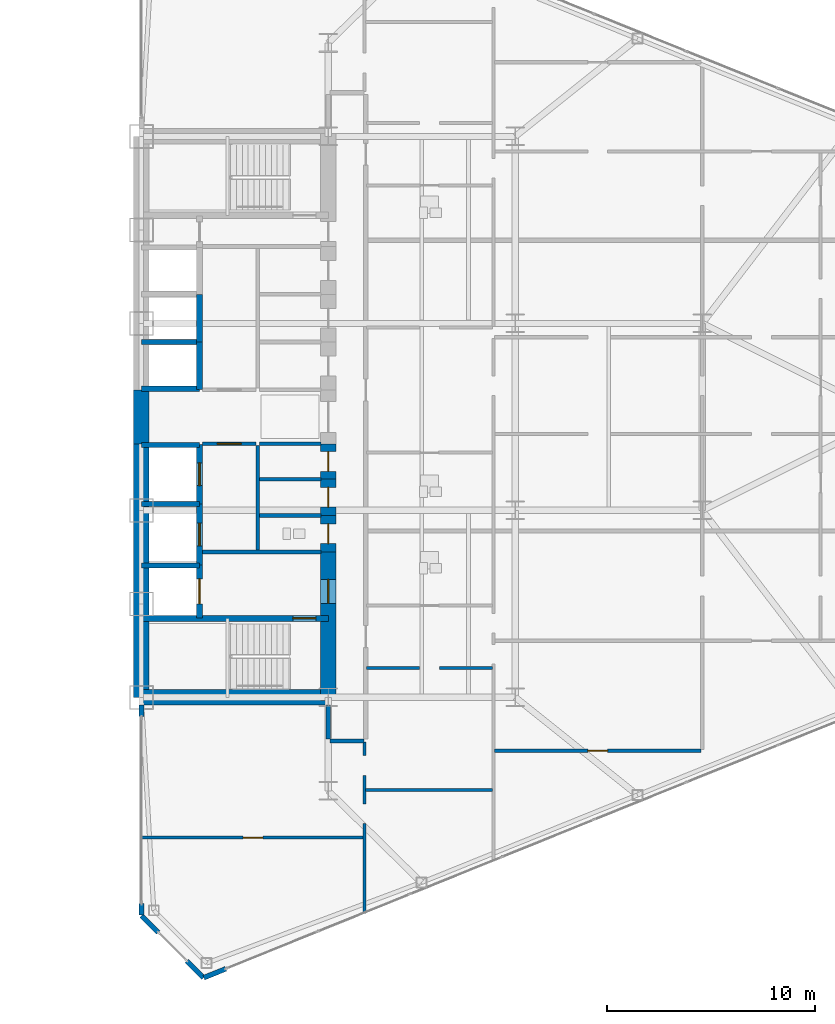
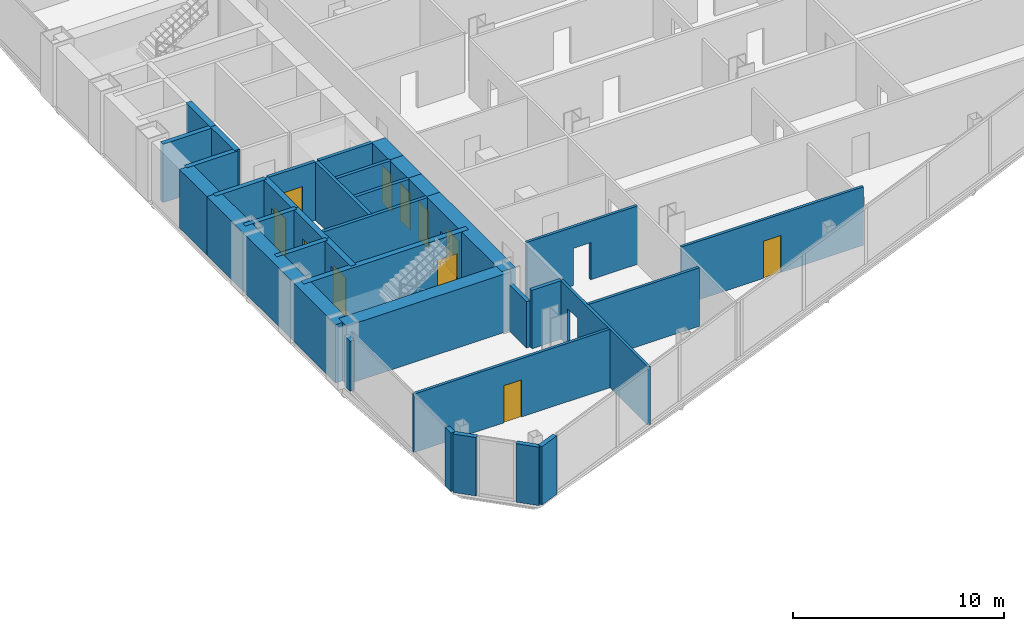
# One storey, part 20 of 25: 36 walls, 11 doors, 14 openings.
"""IFC4 building model written with IfcOpenShell, lengths in metres."""

from ifc_helpers import new_model, si_unit, direction, frame, frame_2d, origin, place, context, subcontext, project, spatial, rectangle, extrude, source, transform, mapped, material, layer, layer_set, type_object, type_shapes, element, fill, save


model = new_model("IFC4")

# Units and contexts
model_context = context("Model", 3, precision=1e-05, world=origin(), true_north=direction((0.0, 1.0)))
body_context = subcontext(model_context, "Body", "Model", "MODEL_VIEW")
ifc_project = project(units=[si_unit("LENGTHUNIT", "METRE"), si_unit("AREAUNIT", "SQUARE_METRE"), si_unit("VOLUMEUNIT", "CUBIC_METRE"), si_unit("PLANEANGLEUNIT", "RADIAN"), si_unit("MASSUNIT", "GRAM", prefix="KILO")], contexts=[model_context])

# Site, building, storey
site_placement = place(None, origin())
site = spatial("IfcSite", under=ifc_project, at=site_placement, CompositionType="ELEMENT")
building_placement = place(site_placement, origin())
building = spatial("IfcBuilding", under=site, at=building_placement, Name="Seokmaru Belvedere", CompositionType="ELEMENT")
storey_placement = place(building_placement, frame((0.0, 0.0, 54.89990234375)))
storey = spatial("IfcBuildingStorey", under=building, at=storey_placement, Name="L14", CompositionType="ELEMENT", Elevation=54.89990234375)

# Wall, opening, door
ifc_material_1 = material(Name="Fire-Rated Gypsum Shaftwall")
ifc_layer_1 = layer(ifc_material_1, 0.14990234375)
ifc_layer_set_1 = layer_set([ifc_layer_1], Name="Fire-Rated Gypsum Shaftwall")
wall_type_1 = type_object("IfcWallType", Name="Apartment Fire-Acoustic Room Partition 150", PredefinedType="PARTITIONING", material=ifc_layer_set_1)
wall_1_placement = place(storey_placement, frame((27.465087890625, -20.25, 0.0), z_axis=(0.0, 0.0, 1.0), x_axis=(1.0, 0.0, 0.0)))
wall_1 = element("IfcWall", 1, at=wall_1_placement, inside=storey, type_object=wall_type_1, Name="L14 Interior Partition 001", PredefinedType="PARTITIONING", context=body_context, shape_type="SweptSolid", body=[
    extrude(rectangle(XDim=10.73486328125, YDim=0.14990234375, at=frame_2d((5.367431640625, 0.0))), origin(), (0.0, 0.0, 1.0), 3.380126953125),
])
opening_1_placement = place(wall_1_placement, frame((4.93505859375, 0.0, 0.0)))
opening_1 = element("IfcOpeningElement", 2, at=opening_1_placement, cuts=wall_1, Name="Opening D05", PredefinedType="OPENING", context=body_context, shape_type="SweptSolid", body=[
    extrude(rectangle(XDim=0.949951171875, YDim=2.14990234375, at=frame_2d((0.47509765625, 1.074951171875))), frame((0.0, 0.0849609375, 0.0), z_axis=(0.0, -1.0, 0.0), x_axis=(1.0, 0.0, 0.0)), (0.0, 0.0, 1.0), 0.169921875),
])
ifc_material_2 = material(Name="Engineered White Oak Timber", Category="wood")
door_type_1 = type_object("IfcDoorType", Name="Apartment Interior Fire-Rated Oak Door 950x2150", OperationType="NOTDEFINED", PredefinedType="DOOR", material=ifc_material_2)
shared_shape_1 = source(origin(), body_context, "Body", "SweptSolid", [
    extrude(rectangle(XDim=0.949951171875, YDim=2.14990234375, at=frame_2d((0.47509765625, 1.074951171875))), frame((0.0, 0.02490234375, 0.0), z_axis=(0.0, -1.0, 0.0), x_axis=(1.0, 0.0, 0.0)), (0.0, 0.0, 1.0), 0.050048828125),
])
type_shapes(door_type_1, [shared_shape_1])
door_1_placement = place(opening_1_placement, origin())
door_1 = element("IfcDoor", 3, at=door_1_placement, inside=storey, type_object=door_type_1, Name="L14 Interior Door 037", OperationType="SINGLE_SWING_LEFT", OverallHeight=2.14990234375, OverallWidth=0.949951171875, PredefinedType="DOOR", context=body_context, shape_type="MappedRepresentation", body=[
    mapped(shared_shape_1, transform((0.0, 0.0, 0.0), scale=1.0)),
])
fill(opening_1, door_1)

# Wall
wall_2_placement = place(storey_placement, frame((38.300048828125, -17.969970703125, 0.0), z_axis=(0.0, 0.0, 1.0), x_axis=(1.0, 0.0, 0.0)))
element("IfcWall", 4, at=wall_2_placement, inside=storey, type_object=wall_type_1, Name="L14 Interior Partition 002", PredefinedType="PARTITIONING", context=body_context, shape_type="SweptSolid", body=[
    extrude(rectangle(XDim=6.099853515625, YDim=0.14990234375, at=frame_2d((3.0498046875, 0.0))), origin(), (0.0, 0.0, 1.0), 3.380126953125),
])

# Wall, opening, door
wall_3_placement = place(storey_placement, frame((44.5, -16.070068359375, 0.0), z_axis=(0.0, 0.0, 1.0), x_axis=(1.0, 0.0, 0.0)))
wall_3 = element("IfcWall", 5, at=wall_3_placement, inside=storey, type_object=wall_type_1, Name="L14 Interior Partition 003", PredefinedType="PARTITIONING", context=body_context, shape_type="SweptSolid", body=[
    extrude(rectangle(XDim=9.949951171875, YDim=0.14990234375, at=frame_2d((4.97509765625, 0.0))), origin(), (0.0, 0.0, 1.0), 3.380126953125),
])
opening_2_placement = place(wall_3_placement, frame((4.5, 0.0, 0.0)))
opening_2 = element("IfcOpeningElement", 6, at=opening_2_placement, cuts=wall_3, Name="Opening D05", PredefinedType="OPENING", context=body_context, shape_type="SweptSolid", body=[
    extrude(rectangle(XDim=0.949951171875, YDim=2.14990234375, at=frame_2d((0.47509765625, 1.074951171875))), frame((0.0, 0.0849609375, 0.0), z_axis=(0.0, -1.0, 0.0), x_axis=(1.0, 0.0, 0.0)), (0.0, 0.0, 1.0), 0.169921875),
])
door_2_placement = place(opening_2_placement, origin())
door_2 = element("IfcDoor", 7, at=door_2_placement, inside=storey, type_object=door_type_1, Name="L14 Interior Door 035", OperationType="SINGLE_SWING_LEFT", OverallHeight=2.14990234375, OverallWidth=0.949951171875, PredefinedType="DOOR", context=body_context, shape_type="MappedRepresentation", body=[
    mapped(shared_shape_1, transform((0.0, 0.0, 0.0), scale=1.0)),
])
fill(opening_2, door_2)

# Wall, opening
wall_4_placement = place(storey_placement, frame((38.35009765625, -12.080078125, 0.0), z_axis=(0.0, 0.0, 1.0), x_axis=(1.0, 0.0, 0.0)))
wall_4 = element("IfcWall", 8, at=wall_4_placement, inside=storey, type_object=wall_type_1, Name="L14 Interior Partition 007", PredefinedType="PARTITIONING", context=body_context, shape_type="SweptSolid", body=[
    extrude(rectangle(XDim=6.0498046875, YDim=0.14990234375, at=frame_2d((3.02490234375, 0.0))), origin(), (0.0, 0.0, 1.0), 3.380126953125),
])
opening_3_placement = place(wall_4_placement, frame((2.550048828125, 0.0, 0.0)))
element("IfcOpeningElement", 9, at=opening_3_placement, cuts=wall_4, Name="L14 Cased Opening 029", PredefinedType="OPENING", context=body_context, shape_type="SweptSolid", body=[
    extrude(rectangle(XDim=0.949951171875, YDim=2.14990234375, at=frame_2d((0.47509765625, 1.074951171875))), frame((0.0, 0.0849609375, 0.0), z_axis=(0.0, -1.0, 0.0), x_axis=(1.0, 0.0, 0.0)), (0.0, 0.0, 1.0), 0.169921875),
])

# Wall, openings
wall_5_placement = place(storey_placement, frame((38.25, -23.89794921875, 0.0), z_axis=(0.0, 0.0, 1.0), x_axis=(0.0, 1.0, 0.0)))
wall_5 = element("IfcWall", 10, at=wall_5_placement, inside=storey, type_object=wall_type_1, Name="L14 Interior Partition 045", PredefinedType="PARTITIONING", context=body_context, shape_type="SweptSolid", body=[
    extrude(rectangle(XDim=8.248046875, YDim=0.14990234375, at=frame_2d((4.1240234375, 0.0))), origin(), (0.0, 0.0, 1.0), 3.380126953125),
])
opening_4_placement = place(wall_5_placement, frame((6.6376953125, 0.0, 0.0)))
element("IfcOpeningElement", 11, at=opening_4_placement, cuts=wall_5, Name="L14 Cased Opening 036", PredefinedType="OPENING", context=body_context, shape_type="SweptSolid", body=[
    extrude(rectangle(XDim=0.949951171875, YDim=2.14990234375, at=frame_2d((0.47509765625, 1.074951171875))), frame((0.0, 0.0849609375, 0.0), z_axis=(0.0, -1.0, 0.0), x_axis=(1.0, 0.0, 0.0)), (0.0, 0.0, 1.0), 0.169921875),
])
opening_5_placement = place(wall_5_placement, frame((4.312744140625, 0.0, 0.0)))
element("IfcOpeningElement", 12, at=opening_5_placement, cuts=wall_5, Name="L14 Cased Opening 038", PredefinedType="OPENING", context=body_context, shape_type="SweptSolid", body=[
    extrude(rectangle(XDim=0.949951171875, YDim=2.14990234375, at=frame_2d((0.47509765625, 1.074951171875))), frame((0.0, 0.0849609375, 0.0), z_axis=(0.0, -1.0, 0.0), x_axis=(1.0, 0.0, 0.0)), (0.0, 0.0, 1.0), 0.169921875),
])

# Walls
ifc_layer_2 = layer(ifc_material_1, 0.179931640625)
ifc_layer_set_2 = layer_set([ifc_layer_2], Name="Fire-Rated Gypsum Shaftwall")
wall_type_2 = type_object("IfcWallType", Name="Core Service Fire Partition 180", PredefinedType="PARTITIONING", material=ifc_layer_set_2)
wall_6_placement = place(storey_placement, frame((30.449951171875, -6.5, 0.0), z_axis=(0.0, 0.0, 1.0), x_axis=(1.0, 0.0, 0.0)))
element("IfcWall", 13, at=wall_6_placement, inside=storey, type_object=wall_type_2, Name="L14 East Firefighting Lobby Partition", PredefinedType="PARTITIONING", context=body_context, shape_type="SweptSolid", body=[
    extrude(rectangle(XDim=5.699951171875, YDim=0.179931640625, at=frame_2d((2.85009765625, 0.0))), origin(), (0.0, 0.0, 1.0), 3.380126953125),
])
wall_7_placement = place(storey_placement, frame((33.10009765625, -6.419921875, 0.0), z_axis=(0.0, 0.0, 1.0), x_axis=(0.0, 1.0, 0.0)))
element("IfcWall", 14, at=wall_7_placement, inside=storey, type_object=wall_type_2, Name="L14 East South Core Service Back Wall", PredefinedType="PARTITIONING", context=body_context, shape_type="SweptSolid", body=[
    extrude(rectangle(XDim=5.0400390625, YDim=0.179931640625, at=frame_2d((2.52001953125, 0.0))), origin(), (0.0, 0.0, 1.0), 3.380126953125),
])

# Wall, opening, door
wall_8_placement = place(storey_placement, frame((30.449951171875, -1.300048828125, 0.0), z_axis=(0.0, 0.0, 1.0), x_axis=(1.0, 0.0, 0.0)))
wall_8 = element("IfcWall", 15, at=wall_8_placement, inside=storey, type_object=wall_type_2, Name="L14 East South Lift Lobby Foyer Wall", PredefinedType="PARTITIONING", context=body_context, shape_type="SweptSolid", body=[
    extrude(rectangle(XDim=2.570068359375, YDim=0.179931640625, at=frame_2d((1.28515625, 0.0))), origin(), (0.0, 0.0, 1.0), 3.380126953125),
])
opening_6_placement = place(wall_8_placement, frame((0.7099609375, 0.0, 0.0)))
opening_6 = element("IfcOpeningElement", 16, at=opening_6_placement, cuts=wall_8, Name="Opening D02", PredefinedType="OPENING", context=body_context, shape_type="SweptSolid", body=[
    extrude(rectangle(XDim=1.14990234375, YDim=2.199951171875, at=frame_2d((0.574951171875, 1.10009765625))), frame((0.0, 0.10009765625, 0.0), z_axis=(0.0, -1.0, 0.0), x_axis=(1.0, 0.0, 0.0)), (0.0, 0.0, 1.0), 0.199951171875),
])
ifc_material_3 = material(Name="Fire-Rated Steel Leaf", Category="steel")
door_type_2 = type_object("IfcDoorType", Name="Lobby and Vestibule Fire Door 1150x2200", OperationType="NOTDEFINED", PredefinedType="DOOR", material=ifc_material_3)
shared_shape_2 = source(origin(), body_context, "Body", "SweptSolid", [
    extrude(rectangle(XDim=1.14990234375, YDim=2.199951171875, at=frame_2d((0.574951171875, 1.10009765625))), frame((0.0, 0.02490234375, 0.0), z_axis=(0.0, -1.0, 0.0), x_axis=(1.0, 0.0, 0.0)), (0.0, 0.0, 1.0), 0.050048828125),
])
type_shapes(door_type_2, [shared_shape_2])
door_3_placement = place(opening_6_placement, origin())
door_3 = element("IfcDoor", 17, at=door_3_placement, inside=storey, type_object=door_type_2, Name="L14 East South Core Foyer Door", OperationType="SINGLE_SWING_RIGHT", OverallHeight=2.199951171875, OverallWidth=1.14990234375, PredefinedType="DOOR", context=body_context, shape_type="MappedRepresentation", body=[
    mapped(shared_shape_2, transform((0.0, 0.0, 0.0), scale=1.0)),
])
fill(opening_6, door_3)

# Walls
for number, where, z_axis, x_axis, name in (
    (18, (33.199951171875, -1.300048828125, 0.0), (0.0, 0.0, 1.0), (1.0, 0.0, 0.0), "L14 East Foyer Side Wall S"),
    (19, (33.199951171875, -4.75, 0.0), (0.0, 0.0, 1.0), (1.0, 0.0, 0.0), "L14 East Core Service Partition 1"),
    (20, (33.199951171875, -3.0, 0.0), (0.0, 0.0, 1.0), (1.0, 0.0, 0.0), "L14 East Core Service Partition 2"),
):
    element("IfcWall", number, at=place(storey_placement, frame(where, z_axis=z_axis, x_axis=x_axis)), inside=storey, type_object=wall_type_2, Name=name, PredefinedType="PARTITIONING", context=body_context, shape_type="SweptSolid", body=[
        extrude(rectangle(XDim=2.949951171875, YDim=0.179931640625, at=frame_2d((1.47509765625, 0.0))), origin(), (0.0, 0.0, 1.0), 3.380126953125),
    ])
ifc_material_4 = material(Name="Concrete C50 (50 MPa)", Category="concrete")
ifc_layer_3 = layer(ifc_material_4, 0.25)
ifc_layer_set_3 = layer_set([ifc_layer_3], Name="Concrete C50 (50 MPa)")
wall_type_3 = type_object("IfcWallType", Name="Hoistway Transverse Concrete Divider Wall 250", PredefinedType="SHEAR", material=ifc_layer_set_3)
for number, where, z_axis, x_axis, name in (
    (21, (27.5, -7.14990234375, 0.0), (0.0, 0.0, 1.0), (1.0, 0.0, 0.0), "L14 East Hoistway Divider Core Wall 1"),
    (22, (27.5, -4.199951171875, 0.0), (0.0, 0.0, 1.0), (1.0, 0.0, 0.0), "L14 East Hoistway Divider Core Wall 2"),
    (23, (27.5, -1.35009765625, 0.0), (0.0, 0.0, 1.0), (1.0, 0.0, 0.0), "L14 East Hoistway Divider Core Wall 3"),
    (24, (27.5, 1.35009765625, 0.0), (0.0, 0.0, 1.0), (1.0, 0.0, 0.0), "L14 East Hoistway Divider Core Wall 4"),
    (25, (27.5, 3.60009765625, 0.0), (0.0, 0.0, 1.0), (1.0, 0.0, 0.0), "L14 East Hoistway Divider Core Wall 5"),
):
    element("IfcWall", number, at=place(storey_placement, frame(where, z_axis=z_axis, x_axis=x_axis)), inside=storey, type_object=wall_type_3, Name=name, PredefinedType="SHEAR", context=body_context, shape_type="SweptSolid", body=[
        extrude(rectangle(XDim=2.800048828125, YDim=0.25, at=frame_2d((1.39990234375, 0.0))), origin(), (0.0, 0.0, 1.0), 3.380126953125),
    ])
ifc_layer_4 = layer(ifc_material_1, 0.199951171875)
ifc_layer_set_4 = layer_set([ifc_layer_4], Name="Fire-Rated Gypsum Shaftwall")
wall_type_4 = type_object("IfcWallType", Name="Inter-Tenancy Fire Compartment Partition 200", PredefinedType="PARTITIONING", material=ifc_layer_set_4)
wall_9_placement = place(storey_placement, frame((36.5849609375, -15.60009765625, 0.0), z_axis=(0.0, 0.0, 1.0), x_axis=(1.0, 0.0, 0.0)))
element("IfcWall", 26, at=wall_9_placement, inside=storey, type_object=wall_type_4, Name="L14 Interior Partition 005", PredefinedType="PARTITIONING", context=body_context, shape_type="SweptSolid", body=[
    extrude(rectangle(XDim=1.630126953125, YDim=0.199951171875, at=frame_2d((0.81494140625, 0.0))), origin(), (0.0, 0.0, 1.0), 3.380126953125),
])
wall_10_placement = place(storey_placement, frame((36.5, -15.514892578125, 0.0), z_axis=(0.0, 0.0, 1.0), x_axis=(0.0, 1.0, 0.0)))
element("IfcWall", 27, at=wall_10_placement, inside=storey, type_object=wall_type_4, Name="L14 Interior Partition 043", PredefinedType="PARTITIONING", context=body_context, shape_type="SweptSolid", body=[
    extrude(rectangle(XDim=1.635009765625, YDim=0.199951171875, at=frame_2d((0.8173828125, 0.0))), origin(), (0.0, 0.0, 1.0), 2.68017578125),
])

# Wall, opening, door
ifc_layer_5 = layer(ifc_material_4, 0.300048828125)
ifc_layer_set_5 = layer_set([ifc_layer_5], Name="Concrete C50 (50 MPa)")
wall_type_5 = type_object("IfcWallType", Name="Internal Core Stair and Hoistway Wall 300", PredefinedType="SHEAR", material=ifc_layer_set_5)
wall_11_placement = place(storey_placement, frame((27.5, -9.699951171875, 0.0), z_axis=(0.0, 0.0, 1.0), x_axis=(1.0, 0.0, 0.0)))
wall_11 = element("IfcWall", 28, at=wall_11_placement, inside=storey, type_object=wall_type_5, Name="L14 East Stair ST-1 Enclosure Wall", PredefinedType="SHEAR", context=body_context, shape_type="SweptSolid", body=[
    extrude(rectangle(XDim=9.0, YDim=0.300048828125, at=frame_2d((4.5, 0.0))), origin(), (0.0, 0.0, 1.0), 3.380126953125),
])
opening_7_placement = place(wall_11_placement, frame((7.300048828125, 0.0, 0.0)))
opening_7 = element("IfcOpeningElement", 29, at=opening_7_placement, cuts=wall_11, Name="Opening D01", PredefinedType="OPENING", context=body_context, shape_type="SweptSolid", body=[
    extrude(rectangle(XDim=1.10009765625, YDim=2.199951171875, at=frame_2d((0.550048828125, 1.10009765625))), frame((0.0, 0.16015625, 0.0), z_axis=(0.0, -1.0, 0.0), x_axis=(1.0, 0.0, 0.0)), (0.0, 0.0, 1.0), 0.320068359375),
])
door_type_3 = type_object("IfcDoorType", Name="Special Escape Stair Smokeproof Fire Door 1100x2200", OperationType="NOTDEFINED", PredefinedType="DOOR", material=ifc_material_3)
shared_shape_3 = source(origin(), body_context, "Body", "SweptSolid", [
    extrude(rectangle(XDim=1.10009765625, YDim=2.199951171875, at=frame_2d((0.550048828125, 1.10009765625))), frame((0.0, 0.02490234375, 0.0), z_axis=(0.0, -1.0, 0.0), x_axis=(1.0, 0.0, 0.0)), (0.0, 0.0, 1.0), 0.050048828125),
])
type_shapes(door_type_3, [shared_shape_3])
door_4_placement = place(opening_7_placement, frame((1.10009765625, 0.0, 0.0), z_axis=(0.0, 0.0, 1.0), x_axis=(-1.0, 0.0, 0.0)))
door_4 = element("IfcDoor", 30, at=door_4_placement, inside=storey, type_object=door_type_3, Name="L14 East Special Escape Stair ST-1 Door", OperationType="SINGLE_SWING_RIGHT", OverallHeight=2.199951171875, OverallWidth=1.10009765625, PredefinedType="DOOR", context=body_context, shape_type="MappedRepresentation", body=[
    mapped(shared_shape_3, transform((0.0, 0.0, 0.0), scale=1.0)),
])
fill(opening_7, door_4)

wall_12_placement = place(storey_placement, frame((30.300048828125, -9.679931640625, 0.0), z_axis=(0.0, 0.0, 1.0), x_axis=(0.0, 1.0, 0.0)))
wall_12 = element("IfcWall", 31, at=wall_12_placement, inside=storey, type_object=wall_type_5, Name="L14 East Firefighting Lift Shaft Front Wall", PredefinedType="SHEAR", context=body_context, shape_type="SweptSolid", body=[
    extrude(rectangle(XDim=2.559814453125, YDim=0.300048828125, at=frame_2d((1.27978515625, 0.0))), origin(), (0.0, 0.0, 1.0), 3.380126953125),
])
opening_8_placement = place(wall_12_placement, frame((0.679931640625, 0.0, 0.0)))
opening_8 = element("IfcOpeningElement", 32, at=opening_8_placement, cuts=wall_12, Name="Opening LD2", PredefinedType="OPENING", context=body_context, shape_type="SweptSolid", body=[
    extrude(rectangle(XDim=1.199951171875, YDim=2.25, at=frame_2d((0.60009765625, 1.125))), frame((0.0, 0.16015625, 0.0), z_axis=(0.0, -1.0, 0.0), x_axis=(1.0, 0.0, 0.0)), (0.0, 0.0, 1.0), 0.320068359375),
])
ifc_material_5 = material(Name="Stainless Steel 316", Category="steel")
door_type_4 = type_object("IfcDoorType", Name="Firefighting Lift Sliding Landing Door 1200x2250", OperationType="DOUBLE_DOOR_SLIDING", PredefinedType="DOOR", material=ifc_material_5)
shared_shape_4 = source(origin(), body_context, "Body", "SweptSolid", [
    extrude(rectangle(XDim=1.199951171875, YDim=2.25, at=frame_2d((0.60009765625, 1.125))), frame((0.0, 0.02490234375, 0.0), z_axis=(0.0, -1.0, 0.0), x_axis=(1.0, 0.0, 0.0)), (0.0, 0.0, 1.0), 0.050048828125),
])
type_shapes(door_type_4, [shared_shape_4])
door_5_placement = place(opening_8_placement, origin())
door_5 = element("IfcDoor", 33, at=door_5_placement, inside=storey, type_object=door_type_4, Name="L14 East Firefighting Lift Landing Door", OperationType="DOUBLE_DOOR_SLIDING", OverallHeight=2.25, OverallWidth=1.199951171875, PredefinedType="DOOR", context=body_context, shape_type="MappedRepresentation", body=[
    mapped(shared_shape_4, transform((0.0, 0.0, 0.0), scale=1.0)),
])
fill(opening_8, door_5)

wall_13_placement = place(storey_placement, frame((30.300048828125, -7.1201171875, 0.0), z_axis=(0.0, 0.0, 1.0), x_axis=(0.0, 1.0, 0.0)))
wall_13 = element("IfcWall", 34, at=wall_13_placement, inside=storey, type_object=wall_type_5, Name="L14 East Low-Rise Lift PL-1 Front Wall", PredefinedType="SHEAR", context=body_context, shape_type="SweptSolid", body=[
    extrude(rectangle(XDim=2.920166015625, YDim=0.300048828125, at=frame_2d((1.4599609375, 0.0))), origin(), (0.0, 0.0, 1.0), 3.380126953125),
])
opening_9_placement = place(wall_13_placement, frame((0.909912109375, 0.0, 0.0)))
opening_9 = element("IfcOpeningElement", 35, at=opening_9_placement, cuts=wall_13, Name="Opening LD1", PredefinedType="OPENING", context=body_context, shape_type="SweptSolid", body=[
    extrude(rectangle(XDim=1.10009765625, YDim=2.199951171875, at=frame_2d((0.550048828125, 1.10009765625))), frame((0.0, 0.16015625, 0.0), z_axis=(0.0, -1.0, 0.0), x_axis=(1.0, 0.0, 0.0)), (0.0, 0.0, 1.0), 0.320068359375),
])
door_type_5 = type_object("IfcDoorType", Name="Passenger Lift Sliding Landing Door 1100x2200", OperationType="DOUBLE_DOOR_SLIDING", PredefinedType="DOOR", material=ifc_material_5)
shared_shape_5 = source(origin(), body_context, "Body", "SweptSolid", [
    extrude(rectangle(XDim=1.10009765625, YDim=2.199951171875, at=frame_2d((0.550048828125, 1.10009765625))), frame((0.0, 0.02490234375, 0.0), z_axis=(0.0, -1.0, 0.0), x_axis=(1.0, 0.0, 0.0)), (0.0, 0.0, 1.0), 0.050048828125),
])
type_shapes(door_type_5, [shared_shape_5])
door_6_placement = place(opening_9_placement, origin())
door_6 = element("IfcDoor", 36, at=door_6_placement, inside=storey, type_object=door_type_5, Name="L14 East Low-Rise Lift PL-1 Landing Door", OperationType="DOUBLE_DOOR_SLIDING", OverallHeight=2.199951171875, OverallWidth=1.10009765625, PredefinedType="DOOR", context=body_context, shape_type="MappedRepresentation", body=[
    mapped(shared_shape_5, transform((0.0, 0.0, 0.0), scale=1.0)),
])
fill(opening_9, door_6)

wall_14_placement = place(storey_placement, frame((30.300048828125, -4.199951171875, 0.0), z_axis=(0.0, 0.0, 1.0), x_axis=(0.0, 1.0, 0.0)))
wall_14 = element("IfcWall", 37, at=wall_14_placement, inside=storey, type_object=wall_type_5, Name="L14 East Low-Rise Lift PL-2 Front Wall", PredefinedType="SHEAR", context=body_context, shape_type="SweptSolid", body=[
    extrude(rectangle(XDim=2.8798828125, YDim=0.300048828125, at=frame_2d((1.43994140625, 0.0))), origin(), (0.0, 0.0, 1.0), 3.380126953125),
])
opening_10_placement = place(wall_14_placement, frame((0.889892578125, 0.0, 0.0)))
opening_10 = element("IfcOpeningElement", 38, at=opening_10_placement, cuts=wall_14, Name="Opening LD1", PredefinedType="OPENING", context=body_context, shape_type="SweptSolid", body=[
    extrude(rectangle(XDim=1.10009765625, YDim=2.199951171875, at=frame_2d((0.550048828125, 1.10009765625))), frame((0.0, 0.16015625, 0.0), z_axis=(0.0, -1.0, 0.0), x_axis=(1.0, 0.0, 0.0)), (0.0, 0.0, 1.0), 0.320068359375),
])
door_7_placement = place(opening_10_placement, origin())
door_7 = element("IfcDoor", 39, at=door_7_placement, inside=storey, type_object=door_type_5, Name="L14 East Low-Rise Lift PL-2 Landing Door", OperationType="DOUBLE_DOOR_SLIDING", OverallHeight=2.199951171875, OverallWidth=1.10009765625, PredefinedType="DOOR", context=body_context, shape_type="MappedRepresentation", body=[
    mapped(shared_shape_5, transform((0.0, 0.0, 0.0), scale=1.0)),
])
fill(opening_10, door_7)

# Walls
wall_15_placement = place(storey_placement, frame((30.300048828125, 1.320068359375, 0.0), z_axis=(0.0, 0.0, 1.0), x_axis=(0.0, 1.0, 0.0)))
element("IfcWall", 40, at=wall_15_placement, inside=storey, type_object=wall_type_5, Name="L14 East North Hoistway Wall PH1", PredefinedType="SHEAR", context=body_context, shape_type="SweptSolid", body=[
    extrude(rectangle(XDim=2.280029296875, YDim=0.300048828125, at=frame_2d((1.14013671875, 0.0))), origin(), (0.0, 0.0, 1.0), 3.380126953125),
])
wall_16_placement = place(storey_placement, frame((30.300048828125, 3.60009765625, 0.0), z_axis=(0.0, 0.0, 1.0), x_axis=(0.0, 1.0, 0.0)))
element("IfcWall", 41, at=wall_16_placement, inside=storey, type_object=wall_type_5, Name="L14 East North Hoistway Wall PH2", PredefinedType="SHEAR", context=body_context, shape_type="SweptSolid", body=[
    extrude(rectangle(XDim=2.2998046875, YDim=0.300048828125, at=frame_2d((1.14990234375, 0.0))), origin(), (0.0, 0.0, 1.0), 3.380126953125),
])
ifc_material_6 = material(Name="Concrete C60 (60 MPa)", Category="concrete")
ifc_layer_6 = layer(ifc_material_6, 0.75)
ifc_layer_set_6 = layer_set([ifc_layer_6], Name="Concrete C60 (60 MPa)")
wall_type_6 = type_object("IfcWallType", Name="Lower Tower Reinforced Concrete Core Wall 750", PredefinedType="SHEAR", material=ifc_layer_set_6)
wall_17_placement = place(storey_placement, frame((27.5, -13.5, 0.0), z_axis=(0.0, 0.0, 1.0), x_axis=(0.0, 1.0, 0.0)))
element("IfcWall", 42, at=wall_17_placement, inside=storey, type_object=wall_type_6, Name="L14 East Portal Spine Core Wall South", PredefinedType="SHEAR", context=body_context, shape_type="SweptSolid", body=[
    extrude(rectangle(XDim=12.199951171875, YDim=0.75, at=frame_2d((6.10009765625, 0.0))), origin(), (0.0, 0.0, 1.0), 3.380126953125),
])
wall_18_placement = place(storey_placement, frame((27.5, -1.300048828125, 0.0), z_axis=(0.0, 0.0, 1.0), x_axis=(0.0, 1.0, 0.0)))
element("IfcWall", 43, at=wall_18_placement, inside=storey, type_object=wall_type_6, Name="L14 East Portal Spine Core Wall Center", PredefinedType="SHEAR", context=body_context, shape_type="SweptSolid", body=[
    extrude(rectangle(XDim=2.60009765625, YDim=0.75, at=frame_2d((1.300048828125, 0.0))), origin(), (0.0, 0.0, 1.0), 3.380126953125),
])
wall_19_placement = place(storey_placement, frame((27.5, -13.5, 0.0), z_axis=(0.0, 0.0, 1.0), x_axis=(1.0, 0.0, 0.0)))
element("IfcWall", 44, at=wall_19_placement, inside=storey, type_object=wall_type_6, Name="L14 East South Core Wall", PredefinedType="SHEAR", context=body_context, shape_type="SweptSolid", body=[
    extrude(rectangle(XDim=9.0, YDim=0.75, at=frame_2d((4.5, 0.0))), origin(), (0.0, 0.0, 1.0), 3.380126953125),
])

# Wall, opening, door
wall_20_placement = place(storey_placement, frame((36.5, -13.64990234375, 0.0), z_axis=(0.0, 0.0, 1.0), x_axis=(0.0, 1.0, 0.0)))
wall_20 = element("IfcWall", 45, at=wall_20_placement, inside=storey, type_object=wall_type_6, Name="L14 East West Core Wall FF", PredefinedType="SHEAR", context=body_context, shape_type="SweptSolid", body=[
    extrude(rectangle(XDim=7.14990234375, YDim=0.75, at=frame_2d((3.574951171875, 0.0))), origin(), (0.0, 0.0, 1.0), 3.380126953125),
])
opening_11_placement = place(wall_20_placement, frame((4.675048828125, 0.0, 0.0)))
opening_11 = element("IfcOpeningElement", 46, at=opening_11_placement, cuts=wall_20, Name="Opening D02", PredefinedType="OPENING", context=body_context, shape_type="SweptSolid", body=[
    extrude(rectangle(XDim=1.14990234375, YDim=2.199951171875, at=frame_2d((0.574951171875, 1.10009765625))), frame((0.0, 0.385009765625, 0.0), z_axis=(0.0, -1.0, 0.0), x_axis=(1.0, 0.0, 0.0)), (0.0, 0.0, 1.0), 0.77001953125),
])
door_8_placement = place(opening_11_placement, origin())
door_8 = element("IfcDoor", 47, at=door_8_placement, inside=storey, type_object=door_type_2, Name="L14 East Firefighting Lobby Door", OperationType="SINGLE_SWING_RIGHT", OverallHeight=2.199951171875, OverallWidth=1.14990234375, PredefinedType="DOOR", context=body_context, shape_type="MappedRepresentation", body=[
    mapped(shared_shape_2, transform((0.0, 0.0, 0.0), scale=1.0)),
])
fill(opening_11, door_8)

wall_21_placement = place(storey_placement, frame((36.5, -6.5, 0.0), z_axis=(0.0, 0.0, 1.0), x_axis=(0.0, 1.0, 0.0)))
wall_21 = element("IfcWall", 48, at=wall_21_placement, inside=storey, type_object=wall_type_6, Name="L14 East West Core Wall CS1", PredefinedType="SHEAR", context=body_context, shape_type="SweptSolid", body=[
    extrude(rectangle(XDim=1.75, YDim=0.75, at=frame_2d((0.875, 0.0))), origin(), (0.0, 0.0, 1.0), 3.380126953125),
])
opening_12_placement = place(wall_21_placement, frame((0.39990234375, 0.0, 0.0)))
opening_12 = element("IfcOpeningElement", 49, at=opening_12_placement, cuts=wall_21, Name="Opening D04", PredefinedType="OPENING", context=body_context, shape_type="SweptSolid", body=[
    extrude(rectangle(XDim=0.949951171875, YDim=2.14990234375, at=frame_2d((0.47509765625, 1.074951171875))), frame((0.0, 0.385009765625, 0.0), z_axis=(0.0, -1.0, 0.0), x_axis=(1.0, 0.0, 0.0)), (0.0, 0.0, 1.0), 0.77001953125),
])
door_type_6 = type_object("IfcDoorType", Name="Core Service Room Fire Door 950x2150", OperationType="NOTDEFINED", PredefinedType="DOOR", material=ifc_material_3)
shared_shape_6 = source(origin(), body_context, "Body", "SweptSolid", [
    extrude(rectangle(XDim=0.949951171875, YDim=2.14990234375, at=frame_2d((0.47509765625, 1.074951171875))), frame((0.0, 0.02490234375, 0.0), z_axis=(0.0, -1.0, 0.0), x_axis=(1.0, 0.0, 0.0)), (0.0, 0.0, 1.0), 0.050048828125),
])
type_shapes(door_type_6, [shared_shape_6])
door_9_placement = place(opening_12_placement, origin())
door_9 = element("IfcDoor", 50, at=door_9_placement, inside=storey, type_object=door_type_6, Name="L14 East Core Service Room Door 1", OperationType="SINGLE_SWING_RIGHT", OverallHeight=2.14990234375, OverallWidth=0.949951171875, PredefinedType="DOOR", context=body_context, shape_type="MappedRepresentation", body=[
    mapped(shared_shape_6, transform((0.0, 0.0, 0.0), scale=1.0)),
])
fill(opening_12, door_9)

wall_22_placement = place(storey_placement, frame((36.5, -4.75, 0.0), z_axis=(0.0, 0.0, 1.0), x_axis=(0.0, 1.0, 0.0)))
wall_22 = element("IfcWall", 51, at=wall_22_placement, inside=storey, type_object=wall_type_6, Name="L14 East West Core Wall CS2", PredefinedType="SHEAR", context=body_context, shape_type="SweptSolid", body=[
    extrude(rectangle(XDim=1.75, YDim=0.75, at=frame_2d((0.875, 0.0))), origin(), (0.0, 0.0, 1.0), 3.380126953125),
])
opening_13_placement = place(wall_22_placement, frame((0.39990234375, 0.0, 0.0)))
opening_13 = element("IfcOpeningElement", 52, at=opening_13_placement, cuts=wall_22, Name="Opening D04", PredefinedType="OPENING", context=body_context, shape_type="SweptSolid", body=[
    extrude(rectangle(XDim=0.949951171875, YDim=2.14990234375, at=frame_2d((0.47509765625, 1.074951171875))), frame((0.0, 0.385009765625, 0.0), z_axis=(0.0, -1.0, 0.0), x_axis=(1.0, 0.0, 0.0)), (0.0, 0.0, 1.0), 0.77001953125),
])
door_10_placement = place(opening_13_placement, origin())
door_10 = element("IfcDoor", 53, at=door_10_placement, inside=storey, type_object=door_type_6, Name="L14 East Core Service Room Door 2", OperationType="SINGLE_SWING_LEFT", OverallHeight=2.14990234375, OverallWidth=0.949951171875, PredefinedType="DOOR", context=body_context, shape_type="MappedRepresentation", body=[
    mapped(shared_shape_6, transform((0.0, 0.0, 0.0), scale=1.0)),
])
fill(opening_13, door_10)

wall_23_placement = place(storey_placement, frame((36.5, -3.0, 0.0), z_axis=(0.0, 0.0, 1.0), x_axis=(0.0, 1.0, 0.0)))
wall_23 = element("IfcWall", 54, at=wall_23_placement, inside=storey, type_object=wall_type_6, Name="L14 East West Core Wall CS3", PredefinedType="SHEAR", context=body_context, shape_type="SweptSolid", body=[
    extrude(rectangle(XDim=1.699951171875, YDim=0.75, at=frame_2d((0.85009765625, 0.0))), origin(), (0.0, 0.0, 1.0), 3.380126953125),
])
opening_14_placement = place(wall_23_placement, frame((0.375, 0.0, 0.0)))
opening_14 = element("IfcOpeningElement", 55, at=opening_14_placement, cuts=wall_23, Name="Opening D04", PredefinedType="OPENING", context=body_context, shape_type="SweptSolid", body=[
    extrude(rectangle(XDim=0.949951171875, YDim=2.14990234375, at=frame_2d((0.47509765625, 1.074951171875))), frame((0.0, 0.385009765625, 0.0), z_axis=(0.0, -1.0, 0.0), x_axis=(1.0, 0.0, 0.0)), (0.0, 0.0, 1.0), 0.77001953125),
])
door_11_placement = place(opening_14_placement, origin())
door_11 = element("IfcDoor", 56, at=door_11_placement, inside=storey, type_object=door_type_6, Name="L14 East Core Service Room Door 3", OperationType="SINGLE_SWING_RIGHT", OverallHeight=2.14990234375, OverallWidth=0.949951171875, PredefinedType="DOOR", context=body_context, shape_type="MappedRepresentation", body=[
    mapped(shared_shape_6, transform((0.0, 0.0, 0.0), scale=1.0)),
])
fill(opening_14, door_11)

# Walls
ifc_material_7 = material(Name="Anodised Bronze Aluminium", Category="aluminium")
ifc_layer_7 = layer(ifc_material_7, 0.239990234375)
ifc_layer_set_7 = layer_set([ifc_layer_7], Name="Anodised Bronze Aluminium")
wall_type_7 = type_object("IfcWallType", Name="Tower Corner Spandrel Closure Wall 240", PredefinedType="SOLIDWALL", material=ifc_layer_set_7)
wall_24_placement = place(storey_placement, frame((30.50927734375, -26.99609375, 0.0), z_axis=(0.0, 0.0, 1.0), x_axis=(0.927007103665, 0.375043770452, 0.0)))
element("IfcWall", 57, at=wall_24_placement, inside=storey, type_object=wall_type_7, Name="L14 E Corner Closure Pier 1A", PredefinedType="SOLIDWALL", context=body_context, shape_type="SweptSolid", body=[
    extrude(rectangle(XDim=1.139892578125, YDim=0.239990234375, at=frame_2d((0.56982421875, 0.0))), origin(), (0.0, 0.0, 1.0), 3.380126953125),
])
wall_25_placement = place(storey_placement, frame((27.5, -23.97998046875, 0.0), z_axis=(0.0, 0.0, 1.0), x_axis=(0.0, 1.0, 0.0)))
element("IfcWall", 58, at=wall_25_placement, inside=storey, type_object=wall_type_7, Name="L14 E Spine Closure Pier 1A", PredefinedType="SOLIDWALL", context=body_context, shape_type="SweptSolid", body=[
    extrude(rectangle(XDim=0.550048828125, YDim=0.239990234375, at=frame_2d((0.27490234375, 0.0))), origin(), (0.0, 0.0, 1.0), 3.380126953125),
])
wall_26_placement = place(storey_placement, frame((27.5, -14.429931640625, 0.0), z_axis=(0.0, 0.0, 1.0), x_axis=(0.0, 1.0, 0.0)))
element("IfcWall", 59, at=wall_26_placement, inside=storey, type_object=wall_type_7, Name="L14 E Spine Closure Pier 1B", PredefinedType="SOLIDWALL", context=body_context, shape_type="SweptSolid", body=[
    extrude(rectangle(XDim=0.550048828125, YDim=0.239990234375, at=frame_2d((0.27490234375, 0.0))), origin(), (0.0, 0.0, 1.0), 2.880126953125),
])
for number, where, z_axis, x_axis, name in (
    (60, (27.507080078125, -24.007080078125, 0.0), (0.0, 0.0, 1.0), (0.707106781187, -0.707106781187, 0.0), "L14 E Corner Closure Pier 6A"),
    (61, (29.686767578125, -26.186767578125, 0.0), (0.0, 0.0, 1.0), (0.707106781187, -0.707106781187, 0.0), "L14 E Corner Closure Pier 6B"),
):
    element("IfcWall", number, at=place(storey_placement, frame(where, z_axis=z_axis, x_axis=x_axis)), inside=storey, type_object=wall_type_7, Name=name, PredefinedType="SOLIDWALL", context=body_context, shape_type="SweptSolid", body=[
        extrude(rectangle(XDim=1.14013671875, YDim=0.239990234375, at=frame_2d((0.570068359375, 0.0))), origin(), (0.0, 0.0, 1.0), 3.380126953125),
    ])

save(model, "model.ifc")
